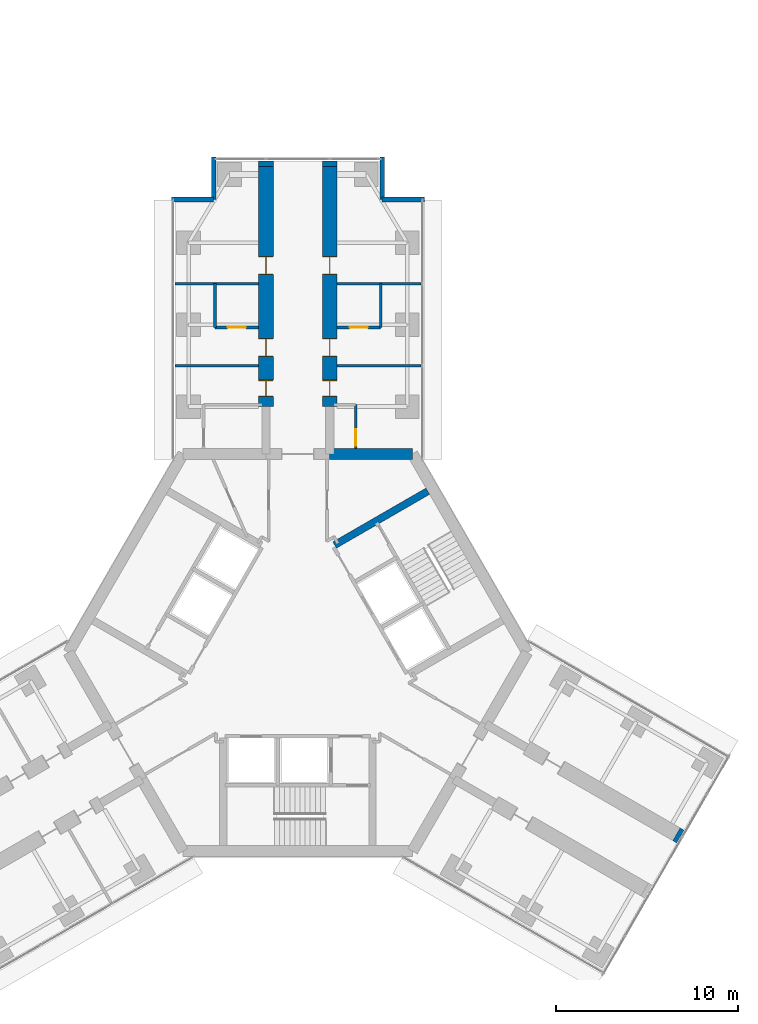
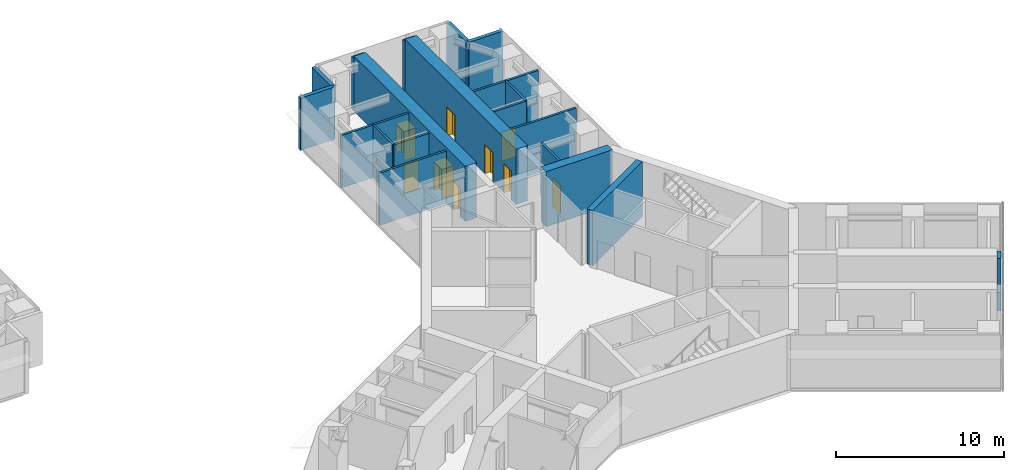
# One storey, part 20 of 22: 20 walls, 9 doors, 9 openings.
"""IFC4 building model written with IfcOpenShell, lengths in metres."""

from ifc_helpers import new_model, si_unit, direction, frame, frame_2d, origin, place, context, subcontext, project, spatial, rectangle, extrude, material, layer, layer_set, type_object, element, fill, save


model = new_model("IFC4")

# Units and contexts
model_context = context("Model", 3, precision=1e-05, world=origin(), true_north=direction((0.0, 1.0)))
body_context = subcontext(model_context, "Body", "Model", "MODEL_VIEW")
ifc_project = project(units=[si_unit("LENGTHUNIT", "METRE"), si_unit("AREAUNIT", "SQUARE_METRE"), si_unit("VOLUMEUNIT", "CUBIC_METRE"), si_unit("PLANEANGLEUNIT", "RADIAN"), si_unit("MASSUNIT", "GRAM", prefix="KILO")], contexts=[model_context])

# Site, building, storey
site_placement = place(None, origin())
site = spatial("IfcSite", under=ifc_project, at=site_placement, CompositionType="ELEMENT")
building_placement = place(site_placement, origin())
building = spatial("IfcBuilding", under=site, at=building_placement, Name="Upepo Twin Towers", CompositionType="ELEMENT")
storey_placement = place(building_placement, frame((0.0, 0.0, 129.5)))
storey = spatial("IfcBuildingStorey", under=building, at=storey_placement, Name="L31", CompositionType="ELEMENT", Elevation=129.5)

# Walls
ifc_material_1 = material(Name="Dense concrete blockwork", Category="masonry")
ifc_layer_1 = layer(ifc_material_1, 0.800048828125)
ifc_layer_set_1 = layer_set([ifc_layer_1], Name="Buttress closer 800, blockwork with fire-stopping to the curtain wall")
wall_type_1 = type_object("IfcWallType", Name="Buttress closer 800, blockwork with fire-stopping to the curtain wall", PredefinedType="PARTITIONING", material=ifc_layer_set_1)
for number, where, z_axis, x_axis, name in (
    (1, (56.75, 8.699951171875, 0.0), (0.0, 0.0, 1.0), (0.0, 1.0, 0.0), "T2 L31 wing A buttress closer L"),
    (2, (60.25, 8.699951171875, 0.0), (0.0, 0.0, 1.0), (0.0, 1.0, 0.0), "T2 L31 wing A buttress closer R"),
):
    element("IfcWall", number, at=place(storey_placement, frame(where, z_axis=z_axis, x_axis=x_axis)), inside=storey, type_object=wall_type_1, Name=name, PredefinedType="PARTITIONING", context=body_context, shape_type="SweptSolid", body=[
        extrude(rectangle(XDim=0.300048828125, YDim=0.800048828125, at=frame_2d((0.14990234375, 0.0))), origin(), (0.0, 0.0, 1.0), 3.800048828125),
    ])
wall_1_placement = place(storey_placement, frame((79.293701171875, -27.984375, 0.0), z_axis=(0.0, 0.0, 1.0), x_axis=(0.865827443207, -0.500342721131, 0.0)))
element("IfcWall", 3, at=wall_1_placement, inside=storey, type_object=wall_type_1, Name="T2 L31 wing C buttress closer L", PredefinedType="PARTITIONING", context=body_context, shape_type="SweptSolid", body=[
    extrude(rectangle(XDim=0.249755859375, YDim=0.800048828125, at=frame_2d((0.125, 0.0))), origin(), (0.0, 0.0, 1.0), 3.800048828125),
])

# Wall, openings, doors
ifc_material_2 = material(Name="Concrete C60/75", Category="concrete")
ifc_layer_2 = layer(ifc_material_2, 0.800048828125)
ifc_layer_set_2 = layer_set([ifc_layer_2], Name="Concrete C60/75")
wall_type_2 = type_object("IfcWallType", Name="Buttress wall 800 RC", PredefinedType="SHEAR", material=ifc_layer_set_2)
wall_2_placement = place(storey_placement, frame((56.75, -4.5, 0.0), z_axis=(0.0, 0.0, 1.0), x_axis=(0.0, 1.0, 0.0)))
wall_2 = element("IfcWall", 4, at=wall_2_placement, inside=storey, type_object=wall_type_2, Name="T2 wing A buttress wall L part 2", PredefinedType="SHEAR", context=body_context, shape_type="SweptSolid", body=[
    extrude(rectangle(XDim=13.199951171875, YDim=0.800048828125, at=frame_2d((6.60009765625, 0.0))), origin(), (0.0, 0.0, 1.0), 4.0),
])
opening_1_placement = place(wall_2_placement, frame((0.550048828125, 0.0, 0.0)))
opening_1 = element("IfcOpeningElement", 5, at=opening_1_placement, cuts=wall_2, Name="Opening D11", PredefinedType="OPENING", context=body_context, shape_type="SweptSolid", body=[
    extrude(rectangle(XDim=0.89990234375, YDim=2.10009765625, at=frame_2d((0.449951171875, 1.050048828125))), frame((0.0, 0.409912109375, 0.0), z_axis=(0.0, -1.0, 0.0), x_axis=(1.0, 0.0, 0.0)), (0.0, 0.0, 1.0), 0.820068359375),
])
opening_2_placement = place(wall_2_placement, frame((2.75, 0.0, 0.0)))
opening_2 = element("IfcOpeningElement", 6, at=opening_2_placement, cuts=wall_2, Name="Opening D1", PredefinedType="OPENING", context=body_context, shape_type="SweptSolid", body=[
    extrude(rectangle(XDim=1.0, YDim=2.10009765625, at=frame_2d((0.5, 1.050048828125))), frame((0.0, 0.409912109375, 0.0), z_axis=(0.0, -1.0, 0.0), x_axis=(1.0, 0.0, 0.0)), (0.0, 0.0, 1.0), 0.820068359375),
])
opening_3_placement = place(wall_2_placement, frame((7.25, 0.0, 0.0)))
opening_3 = element("IfcOpeningElement", 7, at=opening_3_placement, cuts=wall_2, Name="Opening D1", PredefinedType="OPENING", context=body_context, shape_type="SweptSolid", body=[
    extrude(rectangle(XDim=1.0, YDim=2.10009765625, at=frame_2d((0.5, 1.050048828125))), frame((0.0, 0.409912109375, 0.0), z_axis=(0.0, -1.0, 0.0), x_axis=(1.0, 0.0, 0.0)), (0.0, 0.0, 1.0), 0.820068359375),
])
ifc_material_3 = material(Name="Timber doorset", Category="wood")
door_type_1 = type_object("IfcDoorType", Name="Room door 1000 FD30", OperationType="SINGLE_SWING_LEFT", PredefinedType="DOOR", material=ifc_material_3)
door_1_placement = place(opening_2_placement, origin())
door_1 = element("IfcDoor", 8, at=door_1_placement, inside=storey, type_object=door_type_1, Name="T2 L31 tutorial room door", OperationType="SINGLE_SWING_LEFT", OverallHeight=2.10009765625, OverallWidth=1.0, PredefinedType="DOOR", context=body_context, shape_type="SweptSolid", body=[
    extrude(rectangle(XDim=0.92, YDim=2.06009765625, at=frame_2d((0.5, 1.030029296875))), frame((0.0, 0.02490234375, 0.0), z_axis=(0.0, -1.0, 0.0), x_axis=(1.0, 0.0, 0.0)), (0.0, 0.0, 1.0), 0.050048828125),
    extrude(rectangle(XDim=0.04, YDim=2.10009765625, at=frame_2d((0.02001953125, 1.050048828125))), frame((0.0, 0.39990234375, 0.0), z_axis=(0.0, -1.0, 0.0), x_axis=(1.0, 0.0, 0.0)), (0.0, 0.0, 1.0), 0.799560546875),
    extrude(rectangle(XDim=0.04, YDim=2.10009765625, at=frame_2d((0.97998046875, 1.050048828125))), frame((0.0, 0.39990234375, 0.0), z_axis=(0.0, -1.0, 0.0), x_axis=(1.0, 0.0, 0.0)), (0.0, 0.0, 1.0), 0.799560546875),
    extrude(rectangle(XDim=0.92, YDim=0.04, at=frame_2d((0.5, 2.080078125))), frame((0.0, 0.39990234375, 0.0), z_axis=(0.0, -1.0, 0.0), x_axis=(1.0, 0.0, 0.0)), (0.0, 0.0, 1.0), 0.799560546875),
])
fill(opening_2, door_1)
door_2_placement = place(opening_3_placement, origin())
door_2 = element("IfcDoor", 9, at=door_2_placement, inside=storey, type_object=door_type_1, Name="T2 L31 staff office door", OperationType="SINGLE_SWING_RIGHT", OverallHeight=2.10009765625, OverallWidth=1.0, PredefinedType="DOOR", context=body_context, shape_type="SweptSolid", body=[
    extrude(rectangle(XDim=0.92, YDim=2.06009765625, at=frame_2d((0.5, 1.030029296875))), frame((0.0, 0.02490234375, 0.0), z_axis=(0.0, -1.0, 0.0), x_axis=(1.0, 0.0, 0.0)), (0.0, 0.0, 1.0), 0.050048828125),
    extrude(rectangle(XDim=0.04, YDim=2.10009765625, at=frame_2d((0.02001953125, 1.050048828125))), frame((0.0, 0.39990234375, 0.0), z_axis=(0.0, -1.0, 0.0), x_axis=(1.0, 0.0, 0.0)), (0.0, 0.0, 1.0), 0.799560546875),
    extrude(rectangle(XDim=0.04, YDim=2.10009765625, at=frame_2d((0.97998046875, 1.050048828125))), frame((0.0, 0.39990234375, 0.0), z_axis=(0.0, -1.0, 0.0), x_axis=(1.0, 0.0, 0.0)), (0.0, 0.0, 1.0), 0.799560546875),
    extrude(rectangle(XDim=0.92, YDim=0.04, at=frame_2d((0.5, 2.080078125))), frame((0.0, 0.39990234375, 0.0), z_axis=(0.0, -1.0, 0.0), x_axis=(1.0, 0.0, 0.0)), (0.0, 0.0, 1.0), 0.799560546875),
])
fill(opening_3, door_2)
ifc_material_4 = material(Name="Timber doorset", Category="wood")
door_type_2 = type_object("IfcDoorType", Name="Toilet door 900", OperationType="SINGLE_SWING_LEFT", PredefinedType="DOOR", material=ifc_material_4)
door_3_placement = place(opening_1_placement, origin())
door_3 = element("IfcDoor", 10, at=door_3_placement, inside=storey, type_object=door_type_2, Name="T2 L31 accessible wc door", OperationType="SINGLE_SWING_LEFT", OverallHeight=2.10009765625, OverallWidth=0.89990234375, PredefinedType="DOOR", context=body_context, shape_type="SweptSolid", body=[
    extrude(rectangle(XDim=0.81990234375, YDim=2.06009765625, at=frame_2d((0.449951171875, 1.030029296875))), frame((0.0, 0.02490234375, 0.0), z_axis=(0.0, -1.0, 0.0), x_axis=(1.0, 0.0, 0.0)), (0.0, 0.0, 1.0), 0.050048828125),
    extrude(rectangle(XDim=0.04, YDim=2.10009765625, at=frame_2d((0.02001953125, 1.050048828125))), frame((0.0, 0.39990234375, 0.0), z_axis=(0.0, -1.0, 0.0), x_axis=(1.0, 0.0, 0.0)), (0.0, 0.0, 1.0), 0.799560546875),
    extrude(rectangle(XDim=0.04, YDim=2.10009765625, at=frame_2d((0.8798828125, 1.050048828125))), frame((0.0, 0.39990234375, 0.0), z_axis=(0.0, -1.0, 0.0), x_axis=(1.0, 0.0, 0.0)), (0.0, 0.0, 1.0), 0.799560546875),
    extrude(rectangle(XDim=0.81990234375, YDim=0.04, at=frame_2d((0.449951171875, 2.080078125))), frame((0.0, 0.39990234375, 0.0), z_axis=(0.0, -1.0, 0.0), x_axis=(1.0, 0.0, 0.0)), (0.0, 0.0, 1.0), 0.799560546875),
])
fill(opening_1, door_3)

wall_3_placement = place(storey_placement, frame((60.25, -4.5, 0.0), z_axis=(0.0, 0.0, 1.0), x_axis=(0.0, 1.0, 0.0)))
wall_3 = element("IfcWall", 11, at=wall_3_placement, inside=storey, type_object=wall_type_2, Name="T2 wing A buttress wall R part 2", PredefinedType="SHEAR", context=body_context, shape_type="SweptSolid", body=[
    extrude(rectangle(XDim=13.199951171875, YDim=0.800048828125, at=frame_2d((6.60009765625, 0.0))), origin(), (0.0, 0.0, 1.0), 4.0),
])
opening_4_placement = place(wall_3_placement, frame((0.550048828125, 0.0, 0.0)))
opening_4 = element("IfcOpeningElement", 12, at=opening_4_placement, cuts=wall_3, Name="Opening D11", PredefinedType="OPENING", context=body_context, shape_type="SweptSolid", body=[
    extrude(rectangle(XDim=0.89990234375, YDim=2.10009765625, at=frame_2d((0.449951171875, 1.050048828125))), frame((0.0, 0.409912109375, 0.0), z_axis=(0.0, -1.0, 0.0), x_axis=(1.0, 0.0, 0.0)), (0.0, 0.0, 1.0), 0.820068359375),
])
opening_5_placement = place(wall_3_placement, frame((2.75, 0.0, 0.0)))
opening_5 = element("IfcOpeningElement", 13, at=opening_5_placement, cuts=wall_3, Name="Opening D1", PredefinedType="OPENING", context=body_context, shape_type="SweptSolid", body=[
    extrude(rectangle(XDim=1.0, YDim=2.10009765625, at=frame_2d((0.5, 1.050048828125))), frame((0.0, 0.409912109375, 0.0), z_axis=(0.0, -1.0, 0.0), x_axis=(1.0, 0.0, 0.0)), (0.0, 0.0, 1.0), 0.820068359375),
])
opening_6_placement = place(wall_3_placement, frame((7.25, 0.0, 0.0)))
opening_6 = element("IfcOpeningElement", 14, at=opening_6_placement, cuts=wall_3, Name="Opening D1", PredefinedType="OPENING", context=body_context, shape_type="SweptSolid", body=[
    extrude(rectangle(XDim=1.0, YDim=2.10009765625, at=frame_2d((0.5, 1.050048828125))), frame((0.0, 0.409912109375, 0.0), z_axis=(0.0, -1.0, 0.0), x_axis=(1.0, 0.0, 0.0)), (0.0, 0.0, 1.0), 0.820068359375),
])
door_4_placement = place(opening_5_placement, origin())
door_4 = element("IfcDoor", 15, at=door_4_placement, inside=storey, type_object=door_type_1, Name="T2 L31 seminar room door", OperationType="SINGLE_SWING_LEFT", OverallHeight=2.10009765625, OverallWidth=1.0, PredefinedType="DOOR", context=body_context, shape_type="SweptSolid", body=[
    extrude(rectangle(XDim=0.92, YDim=2.06009765625, at=frame_2d((0.5, 1.030029296875))), frame((0.0, 0.02490234375, 0.0), z_axis=(0.0, -1.0, 0.0), x_axis=(1.0, 0.0, 0.0)), (0.0, 0.0, 1.0), 0.050048828125),
    extrude(rectangle(XDim=0.04, YDim=2.10009765625, at=frame_2d((0.02001953125, 1.050048828125))), frame((0.0, 0.39990234375, 0.0), z_axis=(0.0, -1.0, 0.0), x_axis=(1.0, 0.0, 0.0)), (0.0, 0.0, 1.0), 0.799560546875),
    extrude(rectangle(XDim=0.04, YDim=2.10009765625, at=frame_2d((0.97998046875, 1.050048828125))), frame((0.0, 0.39990234375, 0.0), z_axis=(0.0, -1.0, 0.0), x_axis=(1.0, 0.0, 0.0)), (0.0, 0.0, 1.0), 0.799560546875),
    extrude(rectangle(XDim=0.92, YDim=0.04, at=frame_2d((0.5, 2.080078125))), frame((0.0, 0.39990234375, 0.0), z_axis=(0.0, -1.0, 0.0), x_axis=(1.0, 0.0, 0.0)), (0.0, 0.0, 1.0), 0.799560546875),
])
fill(opening_5, door_4)
door_5_placement = place(opening_6_placement, origin())
door_5 = element("IfcDoor", 16, at=door_5_placement, inside=storey, type_object=door_type_1, Name="T2 L31 tutorial room door", OperationType="SINGLE_SWING_RIGHT", OverallHeight=2.10009765625, OverallWidth=1.0, PredefinedType="DOOR", context=body_context, shape_type="SweptSolid", body=[
    extrude(rectangle(XDim=0.92, YDim=2.06009765625, at=frame_2d((0.5, 1.030029296875))), frame((0.0, 0.02490234375, 0.0), z_axis=(0.0, -1.0, 0.0), x_axis=(1.0, 0.0, 0.0)), (0.0, 0.0, 1.0), 0.050048828125),
    extrude(rectangle(XDim=0.04, YDim=2.10009765625, at=frame_2d((0.02001953125, 1.050048828125))), frame((0.0, 0.39990234375, 0.0), z_axis=(0.0, -1.0, 0.0), x_axis=(1.0, 0.0, 0.0)), (0.0, 0.0, 1.0), 0.799560546875),
    extrude(rectangle(XDim=0.04, YDim=2.10009765625, at=frame_2d((0.97998046875, 1.050048828125))), frame((0.0, 0.39990234375, 0.0), z_axis=(0.0, -1.0, 0.0), x_axis=(1.0, 0.0, 0.0)), (0.0, 0.0, 1.0), 0.799560546875),
    extrude(rectangle(XDim=0.92, YDim=0.04, at=frame_2d((0.5, 2.080078125))), frame((0.0, 0.39990234375, 0.0), z_axis=(0.0, -1.0, 0.0), x_axis=(1.0, 0.0, 0.0)), (0.0, 0.0, 1.0), 0.799560546875),
])
fill(opening_6, door_5)
door_6_placement = place(opening_4_placement, origin())
door_6 = element("IfcDoor", 17, at=door_6_placement, inside=storey, type_object=door_type_2, Name="T2 L31 toilets door", OperationType="SINGLE_SWING_LEFT", OverallHeight=2.10009765625, OverallWidth=0.89990234375, PredefinedType="DOOR", context=body_context, shape_type="SweptSolid", body=[
    extrude(rectangle(XDim=0.81990234375, YDim=2.06009765625, at=frame_2d((0.449951171875, 1.030029296875))), frame((0.0, 0.02490234375, 0.0), z_axis=(0.0, -1.0, 0.0), x_axis=(1.0, 0.0, 0.0)), (0.0, 0.0, 1.0), 0.050048828125),
    extrude(rectangle(XDim=0.04, YDim=2.10009765625, at=frame_2d((0.02001953125, 1.050048828125))), frame((0.0, 0.39990234375, 0.0), z_axis=(0.0, -1.0, 0.0), x_axis=(1.0, 0.0, 0.0)), (0.0, 0.0, 1.0), 0.799560546875),
    extrude(rectangle(XDim=0.04, YDim=2.10009765625, at=frame_2d((0.8798828125, 1.050048828125))), frame((0.0, 0.39990234375, 0.0), z_axis=(0.0, -1.0, 0.0), x_axis=(1.0, 0.0, 0.0)), (0.0, 0.0, 1.0), 0.799560546875),
    extrude(rectangle(XDim=0.81990234375, YDim=0.04, at=frame_2d((0.449951171875, 2.080078125))), frame((0.0, 0.39990234375, 0.0), z_axis=(0.0, -1.0, 0.0), x_axis=(1.0, 0.0, 0.0)), (0.0, 0.0, 1.0), 0.799560546875),
])
fill(opening_4, door_6)

# Walls
ifc_material_5 = material(Name="Concrete C60/75", Category="concrete")
ifc_layer_3 = layer(ifc_material_5, 0.60009765625)
ifc_layer_set_3 = layer_set([ifc_layer_3], Name="Concrete C60/75")
wall_type_3 = type_object("IfcWallType", Name="Core wall 600 RC", PredefinedType="SHEAR", material=ifc_layer_set_3)
wall_4_placement = place(storey_placement, frame((64.7978515625, -7.091552734375, 0.0), z_axis=(0.0, 0.0, 1.0), x_axis=(-1.0, 0.0, 0.0)))
element("IfcWall", 18, at=wall_4_placement, inside=storey, type_object=wall_type_3, Name="T2 core wall 000 R", PredefinedType="SHEAR", context=body_context, shape_type="SweptSolid", body=[
    extrude(rectangle(XDim=4.5478515625, YDim=0.60009765625, at=frame_2d((2.27392578125, 0.0))), origin(), (0.0, 0.0, 1.0), 4.0),
])
ifc_material_6 = material(Name="Blockwork with anodised aluminium cladding", Category="masonry")
ifc_layer_4 = layer(ifc_material_6, 0.25)
ifc_layer_set_4 = layer_set([ifc_layer_4], Name="Notch cladding wall 250, pale metal")
wall_type_4 = type_object("IfcWallType", Name="Notch cladding wall 250, pale metal", PredefinedType="STANDARD", material=ifc_layer_set_4)
for number, where, z_axis, x_axis, name in (
    (19, (51.550048828125, 6.875, 0.0), (0.0, 0.0, 1.0), (1.0, 0.0, 0.0), "T2 L31 wing A notch wall L1"),
    (20, (53.875, 6.875, 0.0), (0.0, 0.0, 1.0), (0.0, 1.0, 0.0), "T2 L31 wing A notch wall L2"),
    (21, (65.449951171875, 6.875, 0.0), (0.0, 0.0, 1.0), (-1.0, 0.0, 0.0), "T2 L31 wing A notch wall R1"),
    (22, (63.125, 6.875, 0.0), (0.0, 0.0, 1.0), (0.0, 1.0, 0.0), "T2 L31 wing A notch wall R2"),
):
    element("IfcWall", number, at=place(storey_placement, frame(where, z_axis=z_axis, x_axis=x_axis)), inside=storey, type_object=wall_type_4, Name=name, PredefinedType="STANDARD", context=body_context, shape_type="SweptSolid", body=[
        extrude(rectangle(XDim=2.324951171875, YDim=0.25, at=frame_2d((1.16259765625, 0.0))), origin(), (0.0, 0.0, 1.0), 3.800048828125),
    ])
ifc_material_7 = material(Name="Concrete C40/50", Category="concrete")
ifc_layer_5 = layer(ifc_material_7, 0.39990234375)
ifc_layer_set_5 = layer_set([ifc_layer_5], Name="Concrete C40/50")
wall_type_5 = type_object("IfcWallType", Name="Shaft wall 400 RC", PredefinedType="SHEAR", material=ifc_layer_set_5)
wall_5_placement = place(storey_placement, frame((60.520263671875, -12.099365234375, 0.0), z_axis=(0.0, 0.0, 1.0), x_axis=(0.866009424208, 0.500027676417, 0.0)))
element("IfcWall", 23, at=wall_5_placement, inside=storey, type_object=wall_type_5, Name="T2 core W300 side wall N", PredefinedType="SHEAR", context=body_context, shape_type="SweptSolid", body=[
    extrude(rectangle(XDim=5.908447265625, YDim=0.39990234375, at=frame_2d((2.9541015625, 0.0))), origin(), (0.0, 0.0, 1.0), 4.0),
])
ifc_material_8 = material(Name="Gypsum board on steel studs", Category="steel")
ifc_layer_6 = layer(ifc_material_8, 0.14990234375)
ifc_layer_set_6 = layer_set([ifc_layer_6], Name="Teaching partition 150 acoustic")
wall_type_6 = type_object("IfcWallType", Name="Teaching partition 150 acoustic", PredefinedType="PARTITIONING", material=ifc_layer_set_6)
for number, where, z_axis, x_axis, name in (
    (24, (56.35009765625, -2.25, 0.0), (0.0, 0.0, 1.0), (-1.0, 0.0, 0.0), "T2 partition AL at 15.75"),
    (25, (56.35009765625, 2.25, 0.0), (0.0, 0.0, 1.0), (-1.0, 0.0, 0.0), "T2 partition AL at 20.25"),
):
    element("IfcWall", number, at=place(storey_placement, frame(where, z_axis=z_axis, x_axis=x_axis)), inside=storey, type_object=wall_type_6, Name=name, PredefinedType="PARTITIONING", context=body_context, shape_type="SweptSolid", body=[
        extrude(rectangle(XDim=4.60009765625, YDim=0.14990234375, at=frame_2d((2.300048828125, 0.0))), origin(), (0.0, 0.0, 1.0), 3.800048828125),
    ])
wall_6_placement = place(storey_placement, frame((53.949951171875, -0.14990234375, 0.0), z_axis=(0.0, 0.0, 1.0), x_axis=(0.0, 1.0, 0.0)))
element("IfcWall", 26, at=wall_6_placement, inside=storey, type_object=wall_type_6, Name="T2 inner room partition AL at 17.85", PredefinedType="PARTITIONING", context=body_context, shape_type="SweptSolid", body=[
    extrude(rectangle(XDim=2.39990234375, YDim=0.14990234375, at=frame_2d((1.199951171875, 0.0))), origin(), (0.0, 0.0, 1.0), 3.800048828125),
])

# Wall, opening, door
wall_7_placement = place(storey_placement, frame((56.35009765625, -0.14990234375, 0.0), z_axis=(0.0, 0.0, 1.0), x_axis=(-1.0, 0.0, 0.0)))
wall_7 = element("IfcWall", 27, at=wall_7_placement, inside=storey, type_object=wall_type_6, Name="T2 inner room partition AL end at 17.85", PredefinedType="PARTITIONING", context=body_context, shape_type="SweptSolid", body=[
    extrude(rectangle(XDim=2.400146484375, YDim=0.14990234375, at=frame_2d((1.2001953125, 0.0))), origin(), (0.0, 0.0, 1.0), 3.800048828125),
])
opening_7_placement = place(wall_7_placement, frame((0.699951171875, 0.0, 0.0)))
opening_7 = element("IfcOpeningElement", 28, at=opening_7_placement, cuts=wall_7, Name="Opening D1", PredefinedType="OPENING", context=body_context, shape_type="SweptSolid", body=[
    extrude(rectangle(XDim=1.0, YDim=2.10009765625, at=frame_2d((0.5, 1.050048828125))), frame((0.0, 0.0849609375, 0.0), z_axis=(0.0, -1.0, 0.0), x_axis=(1.0, 0.0, 0.0)), (0.0, 0.0, 1.0), 0.169921875),
])
door_7_placement = place(opening_7_placement, origin())
door_7 = element("IfcDoor", 29, at=door_7_placement, inside=storey, type_object=door_type_1, Name="T2 L31 inner room door", OperationType="SINGLE_SWING_LEFT", OverallHeight=2.10009765625, OverallWidth=1.0, PredefinedType="DOOR", context=body_context, shape_type="SweptSolid", body=[
    extrude(rectangle(XDim=1.0, YDim=2.10009765625, at=frame_2d((0.5, 1.050048828125))), frame((0.0, 0.02490234375, 0.0), z_axis=(0.0, -1.0, 0.0), x_axis=(1.0, 0.0, 0.0)), (0.0, 0.0, 1.0), 0.050048828125),
])
fill(opening_7, door_7)

# Walls
for number, where, z_axis, x_axis, name in (
    (30, (60.64990234375, -2.25, 0.0), (0.0, 0.0, 1.0), (1.0, 0.0, 0.0), "T2 partition AR at 15.75"),
    (31, (60.64990234375, 2.25, 0.0), (0.0, 0.0, 1.0), (1.0, 0.0, 0.0), "T2 partition AR at 20.25"),
):
    element("IfcWall", number, at=place(storey_placement, frame(where, z_axis=z_axis, x_axis=x_axis)), inside=storey, type_object=wall_type_6, Name=name, PredefinedType="PARTITIONING", context=body_context, shape_type="SweptSolid", body=[
        extrude(rectangle(XDim=4.60009765625, YDim=0.14990234375, at=frame_2d((2.300048828125, 0.0))), origin(), (0.0, 0.0, 1.0), 3.800048828125),
    ])
wall_8_placement = place(storey_placement, frame((63.050048828125, -0.14990234375, 0.0), z_axis=(0.0, 0.0, 1.0), x_axis=(0.0, 1.0, 0.0)))
element("IfcWall", 32, at=wall_8_placement, inside=storey, type_object=wall_type_6, Name="T2 inner room partition AR at 17.85", PredefinedType="PARTITIONING", context=body_context, shape_type="SweptSolid", body=[
    extrude(rectangle(XDim=2.39990234375, YDim=0.14990234375, at=frame_2d((1.199951171875, 0.0))), origin(), (0.0, 0.0, 1.0), 3.800048828125),
])

# Wall, opening, door
wall_9_placement = place(storey_placement, frame((60.64990234375, -0.14990234375, 0.0), z_axis=(0.0, 0.0, 1.0), x_axis=(1.0, 0.0, 0.0)))
wall_9 = element("IfcWall", 33, at=wall_9_placement, inside=storey, type_object=wall_type_6, Name="T2 inner room partition AR end at 17.85", PredefinedType="PARTITIONING", context=body_context, shape_type="SweptSolid", body=[
    extrude(rectangle(XDim=2.400146484375, YDim=0.14990234375, at=frame_2d((1.2001953125, 0.0))), origin(), (0.0, 0.0, 1.0), 3.800048828125),
])
opening_8_placement = place(wall_9_placement, frame((0.699951171875, 0.0, 0.0)))
opening_8 = element("IfcOpeningElement", 34, at=opening_8_placement, cuts=wall_9, Name="Opening D1", PredefinedType="OPENING", context=body_context, shape_type="SweptSolid", body=[
    extrude(rectangle(XDim=1.0, YDim=2.10009765625, at=frame_2d((0.5, 1.050048828125))), frame((0.0, 0.0849609375, 0.0), z_axis=(0.0, -1.0, 0.0), x_axis=(1.0, 0.0, 0.0)), (0.0, 0.0, 1.0), 0.169921875),
])
door_8_placement = place(opening_8_placement, origin())
door_8 = element("IfcDoor", 35, at=door_8_placement, inside=storey, type_object=door_type_1, Name="T2 L31 inner room door", OperationType="SINGLE_SWING_LEFT", OverallHeight=2.10009765625, OverallWidth=1.0, PredefinedType="DOOR", context=body_context, shape_type="SweptSolid", body=[
    extrude(rectangle(XDim=1.0, YDim=2.10009765625, at=frame_2d((0.5, 1.050048828125))), frame((0.0, 0.02490234375, 0.0), z_axis=(0.0, -1.0, 0.0), x_axis=(1.0, 0.0, 0.0)), (0.0, 0.0, 1.0), 0.050048828125),
])
fill(opening_8, door_8)

wall_10_placement = place(storey_placement, frame((61.675048828125, -6.7919921875, 0.0), z_axis=(0.0, 0.0, 1.0), x_axis=(0.0, 1.0, 0.0)))
wall_10 = element("IfcWall", 36, at=wall_10_placement, inside=storey, type_object=wall_type_6, Name="T2 WC bay partition AR at 11.21", PredefinedType="PARTITIONING", context=body_context, shape_type="SweptSolid", body=[
    extrude(rectangle(XDim=2.39990234375, YDim=0.14990234375, at=frame_2d((1.199951171875, 0.0))), origin(), (0.0, 0.0, 1.0), 3.800048828125),
])
opening_9_placement = place(wall_10_placement, frame((0.14990234375, 0.0, 0.0)))
opening_9 = element("IfcOpeningElement", 37, at=opening_9_placement, cuts=wall_10, Name="Opening D14", PredefinedType="OPENING", context=body_context, shape_type="SweptSolid", body=[
    extrude(rectangle(XDim=0.89990234375, YDim=2.10009765625, at=frame_2d((0.449951171875, 1.050048828125))), frame((0.0, 0.0849609375, 0.0), z_axis=(0.0, -1.0, 0.0), x_axis=(1.0, 0.0, 0.0)), (0.0, 0.0, 1.0), 0.169921875),
])
ifc_material_9 = material(Name="Timber doorset", Category="wood")
door_type_3 = type_object("IfcDoorType", Name="Office door 900 FD30", OperationType="SINGLE_SWING_LEFT", PredefinedType="DOOR", material=ifc_material_9)
door_9_placement = place(opening_9_placement, origin())
door_9 = element("IfcDoor", 38, at=door_9_placement, inside=storey, type_object=door_type_3, Name="T2 L31 WC bay inner room door", OperationType="SINGLE_SWING_LEFT", OverallHeight=2.10009765625, OverallWidth=0.89990234375, PredefinedType="DOOR", context=body_context, shape_type="SweptSolid", body=[
    extrude(rectangle(XDim=0.89990234375, YDim=2.10009765625, at=frame_2d((0.449951171875, 1.050048828125))), frame((0.0, 0.02490234375, 0.0), z_axis=(0.0, -1.0, 0.0), x_axis=(1.0, 0.0, 0.0)), (0.0, 0.0, 1.0), 0.050048828125),
])
fill(opening_9, door_9)

save(model, "model.ifc")
